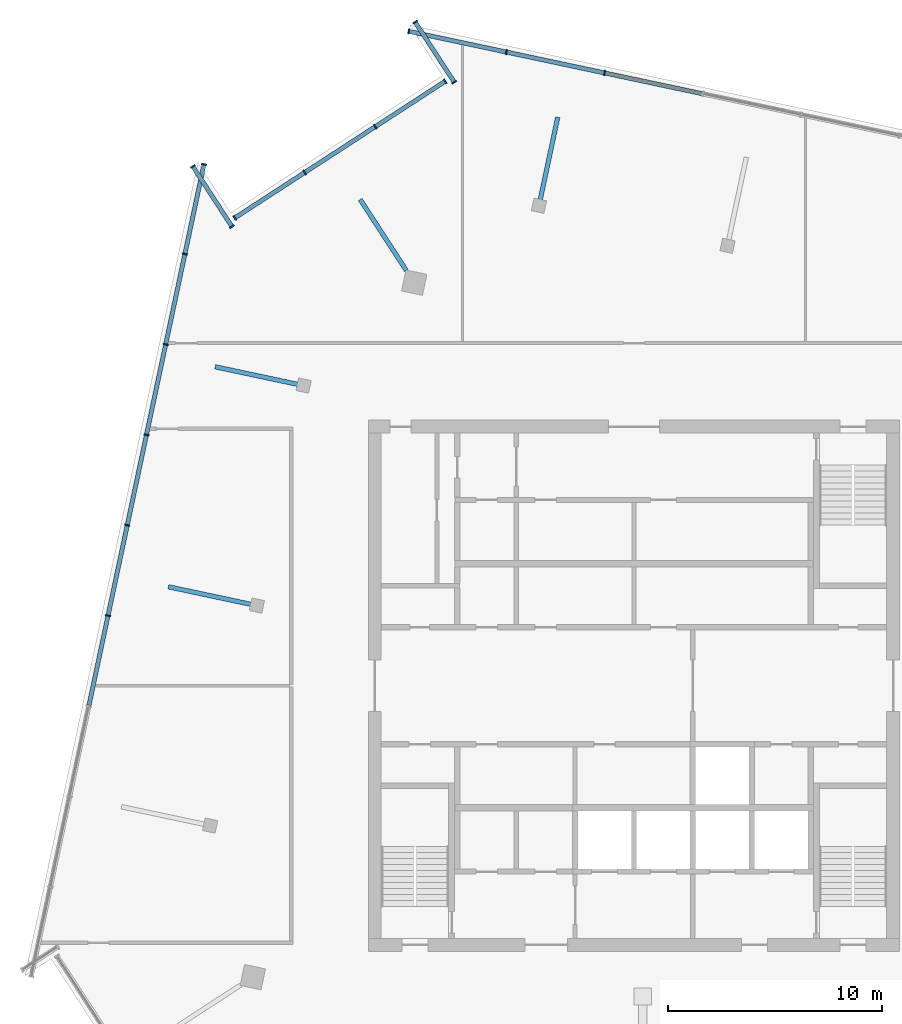
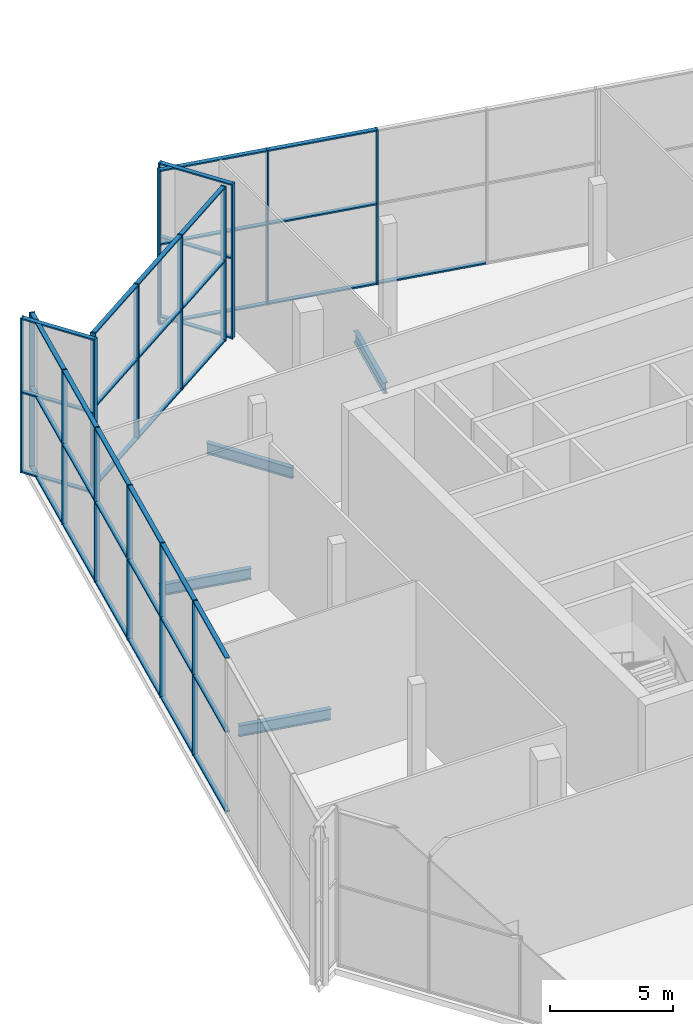
# One storey, part 5 of 14: 57 members, 4 beams, 5 elements without a shape of their own.
"""IFC4 building model written with IfcOpenShell, lengths in metres."""

from ifc_helpers import new_model, si_unit, direction, frame, origin, origin_2d, place, context, subcontext, project, spatial, rectangle, i_section, extrude, material, material_profile, profile_set, type_object, element, aggregate, save


model = new_model("IFC4")

# Units and contexts
model_context = context("Model", 3, precision=1e-05, world=origin(), true_north=direction((0.0, 1.0)))
body_context = subcontext(model_context, "Body", "Model", "MODEL_VIEW")
ifc_project = project(units=[si_unit("LENGTHUNIT", "METRE"), si_unit("AREAUNIT", "SQUARE_METRE"), si_unit("VOLUMEUNIT", "CUBIC_METRE"), si_unit("PLANEANGLEUNIT", "RADIAN"), si_unit("MASSUNIT", "GRAM", prefix="KILO")], contexts=[model_context])

# Site, building, storey
site_placement = place(None, origin())
site = spatial("IfcSite", under=ifc_project, at=site_placement, CompositionType="ELEMENT")
building_placement = place(site_placement, origin())
building = spatial("IfcBuilding", under=site, at=building_placement, Name="Dilmun Exchange Tower", CompositionType="ELEMENT")
storey_placement = place(building_placement, frame((0.0, 0.0, 350.10009765625)))
storey = spatial("IfcBuildingStorey", under=building, at=storey_placement, Name="Crown L83", CompositionType="ELEMENT", Elevation=350.10009765625)

# Curtain wall, members
ifc_material_1 = material(Name="Anodised aluminium and clear glass", Category="aluminium")
curtain_wall_type = type_object("IfcCurtainWallType", Name="Damper floor glazing", PredefinedType="NOTDEFINED", material=ifc_material_1)
curtain_wall_1_placement = place(storey_placement, origin())
curtain_wall_1 = element("IfcCurtainWall", 1, at=curtain_wall_1_placement, inside=storey, type_object=curtain_wall_type, Name="Damper floor glazing run DG11", PredefinedType="NOTDEFINED")
ifc_material_2 = material(Name="Anodised aluminium", Category="aluminium")
ifc_material_profile_1 = material_profile(ifc_material_2, rectangle(XDim=0.239990234375, YDim=0.070068359375, at=origin_2d()), Name="AL 70x240")
ifc_profile_set_1 = profile_set([ifc_material_profile_1], Name="Anodised aluminium")
member_type_1 = type_object("IfcMemberType", Name="Damper floor glazing mullion 70 x 240", PredefinedType="MULLION", material=ifc_profile_set_1)
member_1_placement = place(storey_placement, frame((-1.372314453125, 28.610595703125, 0.0), z_axis=(0.0, 0.0, 1.0), x_axis=(-0.20791117371, -0.978147710648, 0.0)))
member_1 = element("IfcMember", 2, at=member_1_placement, type_object=member_type_1, Name="DG11 mullion 6", PredefinedType="MULLION", context=body_context, shape_type="SweptSolid", body=[
    extrude(rectangle(XDim=0.239990234375, YDim=0.070068359375, at=origin_2d()), origin(), (0.0, 0.0, 1.0), 7.699951171875),
])
member_2_placement = place(storey_placement, frame((-5.960205078125, 29.585693359375, 0.0), z_axis=(0.0, 0.0, 1.0), x_axis=(-0.20791117371, -0.978147710648, 0.0)))
member_2 = element("IfcMember", 3, at=member_2_placement, type_object=member_type_1, Name="DG11 mullion 7", PredefinedType="MULLION", context=body_context, shape_type="SweptSolid", body=[
    extrude(rectangle(XDim=0.239990234375, YDim=0.070068359375, at=origin_2d()), origin(), (0.0, 0.0, 1.0), 7.699951171875),
])
member_3_placement = place(storey_placement, frame((-10.513916015625, 30.5537109375, 0.0), z_axis=(0.0, 0.0, 1.0), x_axis=(-0.20791117371, -0.978147710648, 0.0)))
member_3 = element("IfcMember", 4, at=member_3_placement, type_object=member_type_1, Name="DG11 mullion 8", PredefinedType="MULLION", context=body_context, shape_type="SweptSolid", body=[
    extrude(rectangle(XDim=0.239990234375, YDim=0.070068359375, at=origin_2d()), origin(), (0.0, 0.0, 1.0), 7.699951171875),
])

curtain_wall_2_placement = place(storey_placement, origin())
curtain_wall_2 = element("IfcCurtainWall", 5, at=curtain_wall_2_placement, inside=storey, type_object=curtain_wall_type, Name="Damper floor glazing run DG12", PredefinedType="NOTDEFINED")
member_4_placement = place(storey_placement, frame((-10.215087890625, 30.98828125, 0.0), z_axis=(0.0, 0.0, 1.0), x_axis=(0.838669473015, 0.544640721056, 0.0)))
member_4 = element("IfcMember", 6, at=member_4_placement, type_object=member_type_1, Name="DG12 mullion 1", PredefinedType="MULLION", context=body_context, shape_type="SweptSolid", body=[
    extrude(rectangle(XDim=0.239990234375, YDim=0.070068359375, at=origin_2d()), origin(), (0.0, 0.0, 1.0), 7.699951171875),
])
member_5_placement = place(storey_placement, frame((-8.3916015625, 28.180419921875, 0.0), z_axis=(0.0, 0.0, 1.0), x_axis=(0.838669473015, 0.544640721056, 0.0)))
member_5 = element("IfcMember", 7, at=member_5_placement, type_object=member_type_1, Name="DG12 mullion 2", PredefinedType="MULLION", context=body_context, shape_type="SweptSolid", body=[
    extrude(rectangle(XDim=0.239990234375, YDim=0.070068359375, at=origin_2d()), origin(), (0.0, 0.0, 1.0), 7.699951171875),
])

curtain_wall_3_placement = place(storey_placement, origin())
curtain_wall_3 = element("IfcCurtainWall", 8, at=curtain_wall_3_placement, inside=storey, type_object=curtain_wall_type, Name="Damper floor glazing run DG13", PredefinedType="NOTDEFINED")
member_6_placement = place(storey_placement, frame((-8.81689453125, 28.220458984375, 0.0), z_axis=(0.0, 0.0, 1.0), x_axis=(0.54464212806, -0.83866855929, 0.0)))
member_6 = element("IfcMember", 9, at=member_6_placement, type_object=member_type_1, Name="DG13 mullion 1", PredefinedType="MULLION", context=body_context, shape_type="SweptSolid", body=[
    extrude(rectangle(XDim=0.239990234375, YDim=0.070068359375, at=origin_2d()), origin(), (0.0, 0.0, 1.0), 7.699951171875),
])
member_7_placement = place(storey_placement, frame((-12.080078125, 26.10107421875, 0.0), z_axis=(0.0, 0.0, 1.0), x_axis=(0.54464212806, -0.83866855929, 0.0)))
member_7 = element("IfcMember", 10, at=member_7_placement, type_object=member_type_1, Name="DG13 mullion 2", PredefinedType="MULLION", context=body_context, shape_type="SweptSolid", body=[
    extrude(rectangle(XDim=0.239990234375, YDim=0.070068359375, at=origin_2d()), origin(), (0.0, 0.0, 1.0), 7.699951171875),
])
member_8_placement = place(storey_placement, frame((-15.372802734375, 23.962890625, 0.0), z_axis=(0.0, 0.0, 1.0), x_axis=(0.54464212806, -0.83866855929, 0.0)))
member_8 = element("IfcMember", 11, at=member_8_placement, type_object=member_type_1, Name="DG13 mullion 3", PredefinedType="MULLION", context=body_context, shape_type="SweptSolid", body=[
    extrude(rectangle(XDim=0.239990234375, YDim=0.070068359375, at=origin_2d()), origin(), (0.0, 0.0, 1.0), 7.699951171875),
])
member_9_placement = place(storey_placement, frame((-18.63623046875, 21.843505859375, 0.0), z_axis=(0.0, 0.0, 1.0), x_axis=(0.54464212806, -0.83866855929, 0.0)))
member_9 = element("IfcMember", 12, at=member_9_placement, type_object=member_type_1, Name="DG13 mullion 4", PredefinedType="MULLION", context=body_context, shape_type="SweptSolid", body=[
    extrude(rectangle(XDim=0.239990234375, YDim=0.070068359375, at=origin_2d()), origin(), (0.0, 0.0, 1.0), 7.699951171875),
])

curtain_wall_4_placement = place(storey_placement, origin())
curtain_wall_4 = element("IfcCurtainWall", 13, at=curtain_wall_4_placement, inside=storey, type_object=curtain_wall_type, Name="Damper floor glazing run DG14", PredefinedType="NOTDEFINED")
member_10_placement = place(storey_placement, frame((-18.77294921875, 21.43896484375, 0.0), z_axis=(0.0, 0.0, 1.0), x_axis=(-0.838682836616, -0.544620142453, 0.0)))
member_10 = element("IfcMember", 14, at=member_10_placement, type_object=member_type_1, Name="DG14 mullion 1", PredefinedType="MULLION", context=body_context, shape_type="SweptSolid", body=[
    extrude(rectangle(XDim=0.239990234375, YDim=0.070068359375, at=origin_2d()), origin(), (0.0, 0.0, 1.0), 7.699951171875),
])
member_11_placement = place(storey_placement, frame((-20.59619140625, 24.246826171875, 0.0), z_axis=(0.0, 0.0, 1.0), x_axis=(-0.838682836616, -0.544620142453, 0.0)))
member_11 = element("IfcMember", 15, at=member_11_placement, type_object=member_type_1, Name="DG14 mullion 2", PredefinedType="MULLION", context=body_context, shape_type="SweptSolid", body=[
    extrude(rectangle(XDim=0.239990234375, YDim=0.070068359375, at=origin_2d()), origin(), (0.0, 0.0, 1.0), 7.699951171875),
])

curtain_wall_5_placement = place(storey_placement, origin())
curtain_wall_5 = element("IfcCurtainWall", 16, at=curtain_wall_5_placement, inside=storey, type_object=curtain_wall_type, Name="Damper floor glazing run DG15", PredefinedType="NOTDEFINED")
member_12_placement = place(storey_placement, frame((-20.07763671875, 24.3427734375, 0.0), z_axis=(0.0, 0.0, 1.0), x_axis=(0.97814744202, -0.207912437508, 0.0)))
member_12 = element("IfcMember", 17, at=member_12_placement, type_object=member_type_1, Name="DG15 mullion 1", PredefinedType="MULLION", context=body_context, shape_type="SweptSolid", body=[
    extrude(rectangle(XDim=0.239990234375, YDim=0.070068359375, at=origin_2d()), origin(), (0.0, 0.0, 1.0), 7.699951171875),
])
member_13_placement = place(storey_placement, frame((-20.96728515625, 20.15673828125, 0.0), z_axis=(0.0, 0.0, 1.0), x_axis=(0.97814744202, -0.207912437508, 0.0)))
member_13 = element("IfcMember", 18, at=member_13_placement, type_object=member_type_1, Name="DG15 mullion 2", PredefinedType="MULLION", context=body_context, shape_type="SweptSolid", body=[
    extrude(rectangle(XDim=0.239990234375, YDim=0.070068359375, at=origin_2d()), origin(), (0.0, 0.0, 1.0), 7.699951171875),
])
member_14_placement = place(storey_placement, frame((-21.864501953125, 15.936279296875, 0.0), z_axis=(0.0, 0.0, 1.0), x_axis=(0.97814744202, -0.207912437508, 0.0)))
member_14 = element("IfcMember", 19, at=member_14_placement, type_object=member_type_1, Name="DG15 mullion 3", PredefinedType="MULLION", context=body_context, shape_type="SweptSolid", body=[
    extrude(rectangle(XDim=0.239990234375, YDim=0.070068359375, at=origin_2d()), origin(), (0.0, 0.0, 1.0), 7.699951171875),
])
member_15_placement = place(storey_placement, frame((-22.761474609375, 11.7158203125, 0.0), z_axis=(0.0, 0.0, 1.0), x_axis=(0.97814744202, -0.207912437508, 0.0)))
member_15 = element("IfcMember", 20, at=member_15_placement, type_object=member_type_1, Name="DG15 mullion 4", PredefinedType="MULLION", context=body_context, shape_type="SweptSolid", body=[
    extrude(rectangle(XDim=0.239990234375, YDim=0.070068359375, at=origin_2d()), origin(), (0.0, 0.0, 1.0), 7.699951171875),
])
member_16_placement = place(storey_placement, frame((-23.65869140625, 7.495361328125, 0.0), z_axis=(0.0, 0.0, 1.0), x_axis=(0.97814744202, -0.207912437508, 0.0)))
member_16 = element("IfcMember", 21, at=member_16_placement, type_object=member_type_1, Name="DG15 mullion 5", PredefinedType="MULLION", context=body_context, shape_type="SweptSolid", body=[
    extrude(rectangle(XDim=0.239990234375, YDim=0.070068359375, at=origin_2d()), origin(), (0.0, 0.0, 1.0), 7.699951171875),
])
member_17_placement = place(storey_placement, frame((-24.5556640625, 3.27490234375, 0.0), z_axis=(0.0, 0.0, 1.0), x_axis=(0.97814744202, -0.207912437508, 0.0)))
member_17 = element("IfcMember", 22, at=member_17_placement, type_object=member_type_1, Name="DG15 mullion 6", PredefinedType="MULLION", context=body_context, shape_type="SweptSolid", body=[
    extrude(rectangle(XDim=0.239990234375, YDim=0.070068359375, at=origin_2d()), origin(), (0.0, 0.0, 1.0), 7.699951171875),
])

# Member
ifc_material_profile_2 = material_profile(ifc_material_2, rectangle(XDim=0.199951171875, YDim=0.070068359375, at=origin_2d()), Name="AL 70x200")
ifc_profile_set_2 = profile_set([ifc_material_profile_2], Name="Anodised aluminium")
member_type_2 = type_object("IfcMemberType", Name="Damper floor glazing transom 70 x 200", PredefinedType="USERDEFINED", material=ifc_profile_set_2)
member_18_placement = place(storey_placement, frame((3.181396484375, 27.642578125, 0.034912109375), z_axis=(-0.978145957364, 0.207919422117, 0.0), x_axis=(-0.207919422117, -0.978145957364, 0.0)))
member_18 = element("IfcMember", 23, at=member_18_placement, type_object=member_type_2, Name="DG11 transom 5.1", ObjectType="TRANSOM", PredefinedType="USERDEFINED", context=body_context, shape_type="SweptSolid", body=[
    extrude(rectangle(XDim=0.199951171875, YDim=0.070068359375, at=origin_2d()), origin(), (0.0, 0.0, 1.0), 4.62060546875),
])

member_19_placement = place(storey_placement, frame((-1.406494140625, 28.617919921875, 0.034912109375), z_axis=(-0.97815670223, 0.207868867036, 0.0), x_axis=(-0.207868867036, -0.97815670223, 0.0)))
member_19 = element("IfcMember", 24, at=member_19_placement, type_object=member_type_2, Name="DG11 transom 6.1", ObjectType="TRANSOM", PredefinedType="USERDEFINED", context=body_context, shape_type="SweptSolid", body=[
    extrude(rectangle(XDim=0.199951171875, YDim=0.070068359375, at=origin_2d()), origin(), (0.0, 0.0, 1.0), 4.620361328125),
])

member_20_placement = place(storey_placement, frame((-1.406494140625, 28.617919921875, 4.0), z_axis=(-0.97815670223, 0.207868867036, 0.0), x_axis=(-0.207868867036, -0.97815670223, 0.0)))
member_20 = element("IfcMember", 25, at=member_20_placement, type_object=member_type_2, Name="DG11 transom 6.2", ObjectType="TRANSOM", PredefinedType="USERDEFINED", context=body_context, shape_type="SweptSolid", body=[
    extrude(rectangle(XDim=0.199951171875, YDim=0.070068359375, at=origin_2d()), origin(), (0.0, 0.0, 1.0), 4.620361328125),
])

member_21_placement = place(storey_placement, frame((-1.406494140625, 28.617919921875, 7.664794921875), z_axis=(-0.97815670223, 0.207868867036, 0.0), x_axis=(-0.207868867036, -0.97815670223, 0.0)))
member_21 = element("IfcMember", 26, at=member_21_placement, type_object=member_type_2, Name="DG11 transom 6.3", ObjectType="TRANSOM", PredefinedType="USERDEFINED", context=body_context, shape_type="SweptSolid", body=[
    extrude(rectangle(XDim=0.199951171875, YDim=0.070068359375, at=origin_2d()), origin(), (0.0, 0.0, 1.0), 4.620361328125),
])

member_22_placement = place(storey_placement, frame((-5.994384765625, 29.593017578125, 0.034912109375), z_axis=(-0.978148566014, 0.207907149482, 0.0), x_axis=(-0.207907149482, -0.978148566014, 0.0)))
member_22 = element("IfcMember", 27, at=member_22_placement, type_object=member_type_2, Name="DG11 transom 7.1", ObjectType="TRANSOM", PredefinedType="USERDEFINED", context=body_context, shape_type="SweptSolid", body=[
    extrude(rectangle(XDim=0.199951171875, YDim=0.070068359375, at=origin_2d()), origin(), (0.0, 0.0, 1.0), 4.58544921875),
])

member_23_placement = place(storey_placement, frame((-5.994384765625, 29.593017578125, 4.0), z_axis=(-0.978148566014, 0.207907149482, 0.0), x_axis=(-0.207907149482, -0.978148566014, 0.0)))
member_23 = element("IfcMember", 28, at=member_23_placement, type_object=member_type_2, Name="DG11 transom 7.2", ObjectType="TRANSOM", PredefinedType="USERDEFINED", context=body_context, shape_type="SweptSolid", body=[
    extrude(rectangle(XDim=0.199951171875, YDim=0.070068359375, at=origin_2d()), origin(), (0.0, 0.0, 1.0), 4.58544921875),
])

member_24_placement = place(storey_placement, frame((-5.994384765625, 29.593017578125, 7.664794921875), z_axis=(-0.978148566014, 0.207907149482, 0.0), x_axis=(-0.207907149482, -0.978148566014, 0.0)))
member_24 = element("IfcMember", 29, at=member_24_placement, type_object=member_type_2, Name="DG11 transom 7.3", ObjectType="TRANSOM", PredefinedType="USERDEFINED", context=body_context, shape_type="SweptSolid", body=[
    extrude(rectangle(XDim=0.199951171875, YDim=0.070068359375, at=origin_2d()), origin(), (0.0, 0.0, 1.0), 4.58544921875),
])

aggregate(curtain_wall_1, [member_1, member_2, member_3, member_18, member_19, member_20, member_21, member_22, member_23, member_24])

member_25_placement = place(storey_placement, frame((-10.196044921875, 30.958984375, 0.034912109375), z_axis=(0.544640139946, -0.838669850394, 0.0), x_axis=(0.838669850394, 0.544640139946, 0.0)))
member_25 = element("IfcMember", 30, at=member_25_placement, type_object=member_type_2, Name="DG12 transom 1.1", ObjectType="TRANSOM", PredefinedType="USERDEFINED", context=body_context, shape_type="SweptSolid", body=[
    extrude(rectangle(XDim=0.199951171875, YDim=0.070068359375, at=origin_2d()), origin(), (0.0, 0.0, 1.0), 3.278076171875),
])

member_26_placement = place(storey_placement, frame((-10.196044921875, 30.958984375, 4.0), z_axis=(0.544640139946, -0.838669850394, 0.0), x_axis=(0.838669850394, 0.544640139946, 0.0)))
member_26 = element("IfcMember", 31, at=member_26_placement, type_object=member_type_2, Name="DG12 transom 1.2", ObjectType="TRANSOM", PredefinedType="USERDEFINED", context=body_context, shape_type="SweptSolid", body=[
    extrude(rectangle(XDim=0.199951171875, YDim=0.070068359375, at=origin_2d()), origin(), (0.0, 0.0, 1.0), 3.278076171875),
])

member_27_placement = place(storey_placement, frame((-10.196044921875, 30.958984375, 7.664794921875), z_axis=(0.544640139946, -0.838669850394, 0.0), x_axis=(0.838669850394, 0.544640139946, 0.0)))
member_27 = element("IfcMember", 32, at=member_27_placement, type_object=member_type_2, Name="DG12 transom 1.3", ObjectType="TRANSOM", PredefinedType="USERDEFINED", context=body_context, shape_type="SweptSolid", body=[
    extrude(rectangle(XDim=0.199951171875, YDim=0.070068359375, at=origin_2d()), origin(), (0.0, 0.0, 1.0), 3.278076171875),
])

aggregate(curtain_wall_2, [member_4, member_5, member_25, member_26, member_27])

member_28_placement = place(storey_placement, frame((-8.84619140625, 28.201171875, 0.034912109375), z_axis=(-0.838674188872, -0.544633459237, 0.0), x_axis=(0.544633459237, -0.838674188872, 0.0)))
member_28 = element("IfcMember", 33, at=member_28_placement, type_object=member_type_2, Name="DG13 transom 1.1", ObjectType="TRANSOM", PredefinedType="USERDEFINED", context=body_context, shape_type="SweptSolid", body=[
    extrude(rectangle(XDim=0.199951171875, YDim=0.070068359375, at=origin_2d()), origin(), (0.0, 0.0, 1.0), 3.821044921875),
])

member_29_placement = place(storey_placement, frame((-8.84619140625, 28.201171875, 4.0), z_axis=(-0.838674188872, -0.544633459237, 0.0), x_axis=(0.544633459237, -0.838674188872, 0.0)))
member_29 = element("IfcMember", 34, at=member_29_placement, type_object=member_type_2, Name="DG13 transom 1.2", ObjectType="TRANSOM", PredefinedType="USERDEFINED", context=body_context, shape_type="SweptSolid", body=[
    extrude(rectangle(XDim=0.199951171875, YDim=0.070068359375, at=origin_2d()), origin(), (0.0, 0.0, 1.0), 3.821044921875),
])

member_30_placement = place(storey_placement, frame((-8.84619140625, 28.201171875, 7.664794921875), z_axis=(-0.838674188872, -0.544633459237, 0.0), x_axis=(0.544633459237, -0.838674188872, 0.0)))
member_30 = element("IfcMember", 35, at=member_30_placement, type_object=member_type_2, Name="DG13 transom 1.3", ObjectType="TRANSOM", PredefinedType="USERDEFINED", context=body_context, shape_type="SweptSolid", body=[
    extrude(rectangle(XDim=0.199951171875, YDim=0.070068359375, at=origin_2d()), origin(), (0.0, 0.0, 1.0), 3.821044921875),
])

member_31_placement = place(storey_placement, frame((-12.109619140625, 26.08203125, 0.034912109375), z_axis=(-0.838672100142, -0.544636675632, 0.0), x_axis=(0.544636675632, -0.838672100142, 0.0)))
member_31 = element("IfcMember", 36, at=member_31_placement, type_object=member_type_2, Name="DG13 transom 2.1", ObjectType="TRANSOM", PredefinedType="USERDEFINED", context=body_context, shape_type="SweptSolid", body=[
    extrude(rectangle(XDim=0.199951171875, YDim=0.070068359375, at=origin_2d()), origin(), (0.0, 0.0, 1.0), 3.85595703125),
])

member_32_placement = place(storey_placement, frame((-12.109619140625, 26.08203125, 4.0), z_axis=(-0.838672100142, -0.544636675632, 0.0), x_axis=(0.544636675632, -0.838672100142, 0.0)))
member_32 = element("IfcMember", 37, at=member_32_placement, type_object=member_type_2, Name="DG13 transom 2.2", ObjectType="TRANSOM", PredefinedType="USERDEFINED", context=body_context, shape_type="SweptSolid", body=[
    extrude(rectangle(XDim=0.199951171875, YDim=0.070068359375, at=origin_2d()), origin(), (0.0, 0.0, 1.0), 3.85595703125),
])

member_33_placement = place(storey_placement, frame((-12.109619140625, 26.08203125, 7.664794921875), z_axis=(-0.838672100142, -0.544636675632, 0.0), x_axis=(0.544636675632, -0.838672100142, 0.0)))
member_33 = element("IfcMember", 38, at=member_33_placement, type_object=member_type_2, Name="DG13 transom 2.3", ObjectType="TRANSOM", PredefinedType="USERDEFINED", context=body_context, shape_type="SweptSolid", body=[
    extrude(rectangle(XDim=0.199951171875, YDim=0.070068359375, at=origin_2d()), origin(), (0.0, 0.0, 1.0), 3.85595703125),
])

member_34_placement = place(storey_placement, frame((-15.402099609375, 23.94384765625, 0.034912109375), z_axis=(-0.838645003766, -0.544678398377, 0.0), x_axis=(0.544678398377, -0.838645003766, 0.0)))
member_34 = element("IfcMember", 39, at=member_34_placement, type_object=member_type_2, Name="DG13 transom 3.1", ObjectType="TRANSOM", PredefinedType="USERDEFINED", context=body_context, shape_type="SweptSolid", body=[
    extrude(rectangle(XDim=0.199951171875, YDim=0.070068359375, at=origin_2d()), origin(), (0.0, 0.0, 1.0), 3.821044921875),
])

member_35_placement = place(storey_placement, frame((-15.402099609375, 23.94384765625, 4.0), z_axis=(-0.838645003766, -0.544678398377, 0.0), x_axis=(0.544678398377, -0.838645003766, 0.0)))
member_35 = element("IfcMember", 40, at=member_35_placement, type_object=member_type_2, Name="DG13 transom 3.2", ObjectType="TRANSOM", PredefinedType="USERDEFINED", context=body_context, shape_type="SweptSolid", body=[
    extrude(rectangle(XDim=0.199951171875, YDim=0.070068359375, at=origin_2d()), origin(), (0.0, 0.0, 1.0), 3.821044921875),
])

member_36_placement = place(storey_placement, frame((-15.402099609375, 23.94384765625, 7.664794921875), z_axis=(-0.838645003766, -0.544678398377, 0.0), x_axis=(0.544678398377, -0.838645003766, 0.0)))
member_36 = element("IfcMember", 41, at=member_36_placement, type_object=member_type_2, Name="DG13 transom 3.3", ObjectType="TRANSOM", PredefinedType="USERDEFINED", context=body_context, shape_type="SweptSolid", body=[
    extrude(rectangle(XDim=0.199951171875, YDim=0.070068359375, at=origin_2d()), origin(), (0.0, 0.0, 1.0), 3.821044921875),
])

aggregate(curtain_wall_3, [member_6, member_7, member_8, member_9, member_28, member_29, member_30, member_31, member_32, member_33, member_34, member_35, member_36])

member_37_placement = place(storey_placement, frame((-18.7919921875, 21.46826171875, 0.034912109375), z_axis=(-0.544621772695, 0.838681777974, 0.0), x_axis=(-0.838681777974, -0.544621772695, 0.0)))
member_37 = element("IfcMember", 42, at=member_37_placement, type_object=member_type_2, Name="DG14 transom 1.1", ObjectType="TRANSOM", PredefinedType="USERDEFINED", context=body_context, shape_type="SweptSolid", body=[
    extrude(rectangle(XDim=0.199951171875, YDim=0.070068359375, at=origin_2d()), origin(), (0.0, 0.0, 1.0), 3.27783203125),
])

member_38_placement = place(storey_placement, frame((-18.7919921875, 21.46826171875, 4.0), z_axis=(-0.544621772695, 0.838681777974, 0.0), x_axis=(-0.838681777974, -0.544621772695, 0.0)))
member_38 = element("IfcMember", 43, at=member_38_placement, type_object=member_type_2, Name="DG14 transom 1.2", ObjectType="TRANSOM", PredefinedType="USERDEFINED", context=body_context, shape_type="SweptSolid", body=[
    extrude(rectangle(XDim=0.199951171875, YDim=0.070068359375, at=origin_2d()), origin(), (0.0, 0.0, 1.0), 3.27783203125),
])

member_39_placement = place(storey_placement, frame((-18.7919921875, 21.46826171875, 7.664794921875), z_axis=(-0.544621772695, 0.838681777974, 0.0), x_axis=(-0.838681777974, -0.544621772695, 0.0)))
member_39 = element("IfcMember", 44, at=member_39_placement, type_object=member_type_2, Name="DG14 transom 1.3", ObjectType="TRANSOM", PredefinedType="USERDEFINED", context=body_context, shape_type="SweptSolid", body=[
    extrude(rectangle(XDim=0.199951171875, YDim=0.070068359375, at=origin_2d()), origin(), (0.0, 0.0, 1.0), 3.27783203125),
])

aggregate(curtain_wall_4, [member_10, member_11, member_37, member_38, member_39])

member_40_placement = place(storey_placement, frame((-20.0849609375, 24.30859375, 0.034912109375), z_axis=(-0.207912857784, -0.978147352687, 0.0), x_axis=(0.978147352687, -0.207912857784, 0.0)))
member_40 = element("IfcMember", 45, at=member_40_placement, type_object=member_type_2, Name="DG15 transom 1.1", ObjectType="TRANSOM", PredefinedType="USERDEFINED", context=body_context, shape_type="SweptSolid", body=[
    extrude(rectangle(XDim=0.199951171875, YDim=0.070068359375, at=origin_2d()), origin(), (0.0, 0.0, 1.0), 4.209716796875),
])

member_41_placement = place(storey_placement, frame((-20.0849609375, 24.30859375, 4.0), z_axis=(-0.207912857784, -0.978147352687, 0.0), x_axis=(0.978147352687, -0.207912857784, 0.0)))
member_41 = element("IfcMember", 46, at=member_41_placement, type_object=member_type_2, Name="DG15 transom 1.2", ObjectType="TRANSOM", PredefinedType="USERDEFINED", context=body_context, shape_type="SweptSolid", body=[
    extrude(rectangle(XDim=0.199951171875, YDim=0.070068359375, at=origin_2d()), origin(), (0.0, 0.0, 1.0), 4.209716796875),
])

member_42_placement = place(storey_placement, frame((-20.0849609375, 24.30859375, 7.664794921875), z_axis=(-0.207912857784, -0.978147352687, 0.0), x_axis=(0.978147352687, -0.207912857784, 0.0)))
member_42 = element("IfcMember", 47, at=member_42_placement, type_object=member_type_2, Name="DG15 transom 1.3", ObjectType="TRANSOM", PredefinedType="USERDEFINED", context=body_context, shape_type="SweptSolid", body=[
    extrude(rectangle(XDim=0.199951171875, YDim=0.070068359375, at=origin_2d()), origin(), (0.0, 0.0, 1.0), 4.209716796875),
])

member_43_placement = place(storey_placement, frame((-20.974609375, 20.122314453125, 0.034912109375), z_axis=(-0.207926170199, -0.978144522934, 0.0), x_axis=(0.978144522934, -0.207926170199, 0.0)))
member_43 = element("IfcMember", 48, at=member_43_placement, type_object=member_type_2, Name="DG15 transom 2.1", ObjectType="TRANSOM", PredefinedType="USERDEFINED", context=body_context, shape_type="SweptSolid", body=[
    extrude(rectangle(XDim=0.199951171875, YDim=0.070068359375, at=origin_2d()), origin(), (0.0, 0.0, 1.0), 4.24462890625),
])

member_44_placement = place(storey_placement, frame((-20.974609375, 20.122314453125, 4.0), z_axis=(-0.207926170199, -0.978144522934, 0.0), x_axis=(0.978144522934, -0.207926170199, 0.0)))
member_44 = element("IfcMember", 49, at=member_44_placement, type_object=member_type_2, Name="DG15 transom 2.2", ObjectType="TRANSOM", PredefinedType="USERDEFINED", context=body_context, shape_type="SweptSolid", body=[
    extrude(rectangle(XDim=0.199951171875, YDim=0.070068359375, at=origin_2d()), origin(), (0.0, 0.0, 1.0), 4.24462890625),
])

member_45_placement = place(storey_placement, frame((-20.974609375, 20.122314453125, 7.664794921875), z_axis=(-0.207926170199, -0.978144522934, 0.0), x_axis=(0.978144522934, -0.207926170199, 0.0)))
member_45 = element("IfcMember", 50, at=member_45_placement, type_object=member_type_2, Name="DG15 transom 2.3", ObjectType="TRANSOM", PredefinedType="USERDEFINED", context=body_context, shape_type="SweptSolid", body=[
    extrude(rectangle(XDim=0.199951171875, YDim=0.070068359375, at=origin_2d()), origin(), (0.0, 0.0, 1.0), 4.24462890625),
])

member_46_placement = place(storey_placement, frame((-21.871826171875, 15.90185546875, 0.034912109375), z_axis=(-0.207926170199, -0.978144522934, 0.0), x_axis=(0.978144522934, -0.207926170199, 0.0)))
member_46 = element("IfcMember", 51, at=member_46_placement, type_object=member_type_2, Name="DG15 transom 3.1", ObjectType="TRANSOM", PredefinedType="USERDEFINED", context=body_context, shape_type="SweptSolid", body=[
    extrude(rectangle(XDim=0.199951171875, YDim=0.070068359375, at=origin_2d()), origin(), (0.0, 0.0, 1.0), 4.24462890625),
])

member_47_placement = place(storey_placement, frame((-21.871826171875, 15.90185546875, 4.0), z_axis=(-0.207926170199, -0.978144522934, 0.0), x_axis=(0.978144522934, -0.207926170199, 0.0)))
member_47 = element("IfcMember", 52, at=member_47_placement, type_object=member_type_2, Name="DG15 transom 3.2", ObjectType="TRANSOM", PredefinedType="USERDEFINED", context=body_context, shape_type="SweptSolid", body=[
    extrude(rectangle(XDim=0.199951171875, YDim=0.070068359375, at=origin_2d()), origin(), (0.0, 0.0, 1.0), 4.24462890625),
])

member_48_placement = place(storey_placement, frame((-21.871826171875, 15.90185546875, 7.664794921875), z_axis=(-0.207926170199, -0.978144522934, 0.0), x_axis=(0.978144522934, -0.207926170199, 0.0)))
member_48 = element("IfcMember", 53, at=member_48_placement, type_object=member_type_2, Name="DG15 transom 3.3", ObjectType="TRANSOM", PredefinedType="USERDEFINED", context=body_context, shape_type="SweptSolid", body=[
    extrude(rectangle(XDim=0.199951171875, YDim=0.070068359375, at=origin_2d()), origin(), (0.0, 0.0, 1.0), 4.24462890625),
])

member_49_placement = place(storey_placement, frame((-22.768798828125, 11.681396484375, 0.034912109375), z_axis=(-0.207926170199, -0.978144522934, 0.0), x_axis=(0.978144522934, -0.207926170199, 0.0)))
member_49 = element("IfcMember", 54, at=member_49_placement, type_object=member_type_2, Name="DG15 transom 4.1", ObjectType="TRANSOM", PredefinedType="USERDEFINED", context=body_context, shape_type="SweptSolid", body=[
    extrude(rectangle(XDim=0.199951171875, YDim=0.070068359375, at=origin_2d()), origin(), (0.0, 0.0, 1.0), 4.24462890625),
])

member_50_placement = place(storey_placement, frame((-22.768798828125, 11.681396484375, 4.0), z_axis=(-0.207926170199, -0.978144522934, 0.0), x_axis=(0.978144522934, -0.207926170199, 0.0)))
member_50 = element("IfcMember", 55, at=member_50_placement, type_object=member_type_2, Name="DG15 transom 4.2", ObjectType="TRANSOM", PredefinedType="USERDEFINED", context=body_context, shape_type="SweptSolid", body=[
    extrude(rectangle(XDim=0.199951171875, YDim=0.070068359375, at=origin_2d()), origin(), (0.0, 0.0, 1.0), 4.24462890625),
])

member_51_placement = place(storey_placement, frame((-22.768798828125, 11.681396484375, 7.664794921875), z_axis=(-0.207926170199, -0.978144522934, 0.0), x_axis=(0.978144522934, -0.207926170199, 0.0)))
member_51 = element("IfcMember", 56, at=member_51_placement, type_object=member_type_2, Name="DG15 transom 4.3", ObjectType="TRANSOM", PredefinedType="USERDEFINED", context=body_context, shape_type="SweptSolid", body=[
    extrude(rectangle(XDim=0.199951171875, YDim=0.070068359375, at=origin_2d()), origin(), (0.0, 0.0, 1.0), 4.24462890625),
])

member_52_placement = place(storey_placement, frame((-23.666015625, 7.4609375, 0.034912109375), z_axis=(-0.207926170199, -0.978144522934, 0.0), x_axis=(0.978144522934, -0.207926170199, 0.0)))
member_52 = element("IfcMember", 57, at=member_52_placement, type_object=member_type_2, Name="DG15 transom 5.1", ObjectType="TRANSOM", PredefinedType="USERDEFINED", context=body_context, shape_type="SweptSolid", body=[
    extrude(rectangle(XDim=0.199951171875, YDim=0.070068359375, at=origin_2d()), origin(), (0.0, 0.0, 1.0), 4.24462890625),
])

member_53_placement = place(storey_placement, frame((-23.666015625, 7.4609375, 4.0), z_axis=(-0.207926170199, -0.978144522934, 0.0), x_axis=(0.978144522934, -0.207926170199, 0.0)))
member_53 = element("IfcMember", 58, at=member_53_placement, type_object=member_type_2, Name="DG15 transom 5.2", ObjectType="TRANSOM", PredefinedType="USERDEFINED", context=body_context, shape_type="SweptSolid", body=[
    extrude(rectangle(XDim=0.199951171875, YDim=0.070068359375, at=origin_2d()), origin(), (0.0, 0.0, 1.0), 4.24462890625),
])

member_54_placement = place(storey_placement, frame((-23.666015625, 7.4609375, 7.664794921875), z_axis=(-0.207926170199, -0.978144522934, 0.0), x_axis=(0.978144522934, -0.207926170199, 0.0)))
member_54 = element("IfcMember", 59, at=member_54_placement, type_object=member_type_2, Name="DG15 transom 5.3", ObjectType="TRANSOM", PredefinedType="USERDEFINED", context=body_context, shape_type="SweptSolid", body=[
    extrude(rectangle(XDim=0.199951171875, YDim=0.070068359375, at=origin_2d()), origin(), (0.0, 0.0, 1.0), 4.24462890625),
])

member_55_placement = place(storey_placement, frame((-24.56298828125, 3.240478515625, 0.034912109375), z_axis=(-0.207926170199, -0.978144522934, 0.0), x_axis=(0.978144522934, -0.207926170199, 0.0)))
member_55 = element("IfcMember", 60, at=member_55_placement, type_object=member_type_2, Name="DG15 transom 6.1", ObjectType="TRANSOM", PredefinedType="USERDEFINED", context=body_context, shape_type="SweptSolid", body=[
    extrude(rectangle(XDim=0.199951171875, YDim=0.070068359375, at=origin_2d()), origin(), (0.0, 0.0, 1.0), 4.24462890625),
])

member_56_placement = place(storey_placement, frame((-24.56298828125, 3.240478515625, 4.0), z_axis=(-0.207926170199, -0.978144522934, 0.0), x_axis=(0.978144522934, -0.207926170199, 0.0)))
member_56 = element("IfcMember", 61, at=member_56_placement, type_object=member_type_2, Name="DG15 transom 6.2", ObjectType="TRANSOM", PredefinedType="USERDEFINED", context=body_context, shape_type="SweptSolid", body=[
    extrude(rectangle(XDim=0.199951171875, YDim=0.070068359375, at=origin_2d()), origin(), (0.0, 0.0, 1.0), 4.24462890625),
])

member_57_placement = place(storey_placement, frame((-24.56298828125, 3.240478515625, 7.664794921875), z_axis=(-0.207926170199, -0.978144522934, 0.0), x_axis=(0.978144522934, -0.207926170199, 0.0)))
member_57 = element("IfcMember", 62, at=member_57_placement, type_object=member_type_2, Name="DG15 transom 6.3", ObjectType="TRANSOM", PredefinedType="USERDEFINED", context=body_context, shape_type="SweptSolid", body=[
    extrude(rectangle(XDim=0.199951171875, YDim=0.070068359375, at=origin_2d()), origin(), (0.0, 0.0, 1.0), 4.24462890625),
])

aggregate(curtain_wall_5, [member_12, member_13, member_14, member_15, member_16, member_17, member_40, member_41, member_42, member_43, member_44, member_45, member_46, member_47, member_48, member_49, member_50, member_51, member_52, member_53, member_54, member_55, member_56, member_57])

# Beams
ifc_material_3 = material(Name="Steel S355", Category="steel")
ifc_material_profile_3 = material_profile(ifc_material_3, i_section(OverallWidth=0.2099609375, OverallDepth=0.550048828125, WebThickness=0.010986328125, FlangeThickness=0.01708984375, FilletRadius=0.02392578125, at=origin_2d()), Name="IPE 550")
ifc_profile_set_3 = profile_set([ifc_material_profile_3], Name="Steel S355")
beam_type = type_object("IfcBeamType", Name="crown cantilever beam IPE 550", PredefinedType="BEAM", material=ifc_profile_set_3)
beam_1_placement = place(storey_placement, frame((-10.63134765625, 19.390380859375, -0.5751953125), z_axis=(-0.544647223982, 0.838665249911, 0.0), x_axis=(-0.838665249911, -0.544647223982, 0.0)))
element("IfcBeam", 63, at=beam_1_placement, inside=storey, type_object=beam_type, Name="Crown cantilever beam 1", PredefinedType="BEAM", context=body_context, shape_type="SweptSolid", body=[
    extrude(i_section(OverallWidth=0.2099609375, OverallDepth=0.550048828125, WebThickness=0.010986328125, FlangeThickness=0.01708984375, FilletRadius=0.02392578125, at=origin_2d()), origin(), (0.0, 0.0, 1.0), 3.949951171875),
])
for number, where, z_axis, x_axis, name in (
    (64, (-15.69091796875, 14.06982421875, -0.5751953125), (-0.978146596989, 0.207916413008, 0.0), (-0.207916413008, -0.978146596989, 0.0), "Crown cantilever beam 2"),
    (65, (-17.8740234375, 3.798828125, -0.5751953125), (-0.978146596989, 0.207916413008, 0.0), (-0.207916413008, -0.978146596989, 0.0), "Crown cantilever beam 3"),
):
    element("IfcBeam", number, at=place(storey_placement, frame(where, z_axis=z_axis, x_axis=x_axis)), inside=storey, type_object=beam_type, Name=name, PredefinedType="BEAM", context=body_context, shape_type="SweptSolid", body=[
        extrude(i_section(OverallWidth=0.2099609375, OverallDepth=0.550048828125, WebThickness=0.010986328125, FlangeThickness=0.01708984375, FilletRadius=0.02392578125, at=origin_2d()), origin(), (0.0, 0.0, 1.0), 3.9501953125),
    ])
beam_2_placement = place(storey_placement, frame((-4.380126953125, 22.678955078125, -0.5751953125), z_axis=(0.207857277402, 0.978159165081, 0.0), x_axis=(-0.978159165081, 0.207857277402, 0.0)))
element("IfcBeam", 66, at=beam_2_placement, inside=storey, type_object=beam_type, Name="Crown cantilever beam 16", PredefinedType="BEAM", context=body_context, shape_type="SweptSolid", body=[
    extrude(i_section(OverallWidth=0.2099609375, OverallDepth=0.550048828125, WebThickness=0.010986328125, FlangeThickness=0.01708984375, FilletRadius=0.02392578125, at=origin_2d()), origin(), (0.0, 0.0, 1.0), 3.949951171875),
])

save(model, "model.ifc")
